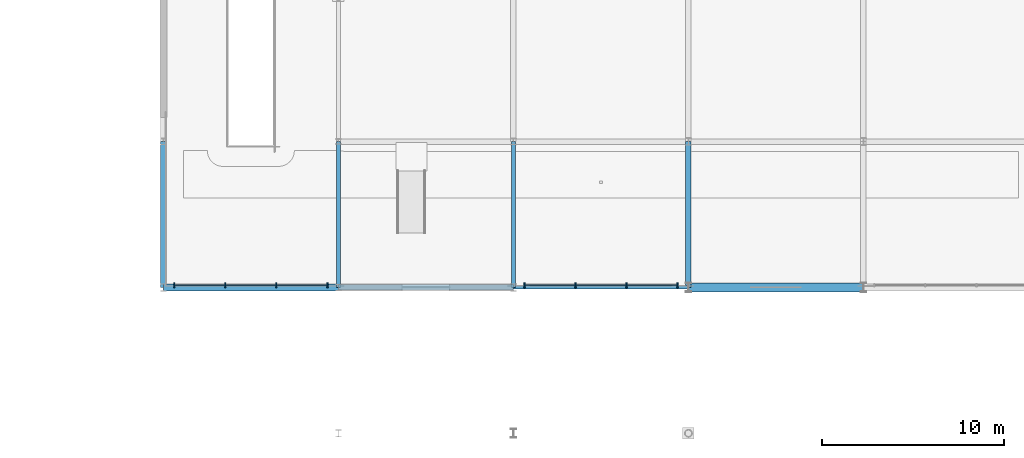
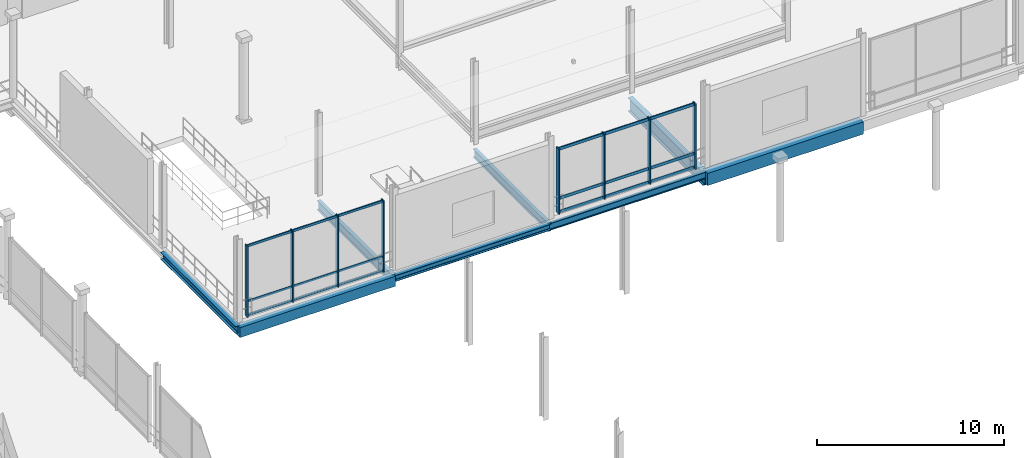
# One storey, part 58 of 129: 14 members, 8 beams, 2 elements without a shape of their own.
"""IFC4 building model written with IfcOpenShell, lengths in metres."""

from ifc_helpers import new_model, si_unit, direction, frame, origin, origin_2d, place, context, subcontext, project, spatial, rectangle, i_section, extrude, material, material_profile, profile_set, type_object, element, aggregate, save


model = new_model("IFC4")

# Units and contexts
model_context = context("Model", 3, precision=1e-05, world=origin(), true_north=direction((0.0, 1.0)))
body_context = subcontext(model_context, "Body", "Model", "MODEL_VIEW")
ifc_project = project(units=[si_unit("LENGTHUNIT", "METRE"), si_unit("AREAUNIT", "SQUARE_METRE"), si_unit("VOLUMEUNIT", "CUBIC_METRE"), si_unit("PLANEANGLEUNIT", "RADIAN"), si_unit("MASSUNIT", "GRAM", prefix="KILO")], contexts=[model_context])

# Site, building, storey
site_placement = place(None, origin())
site = spatial("IfcSite", under=ifc_project, at=site_placement, CompositionType="ELEMENT")
building_placement = place(site_placement, origin())
building = spatial("IfcBuilding", under=site, at=building_placement, Name="Danafjord Basin Convention Centre", CompositionType="ELEMENT")
storey_placement = place(building_placement, frame((0.0, 0.0, 6.0)))
storey = spatial("IfcBuildingStorey", under=building, at=storey_placement, Name="L01", CompositionType="ELEMENT", Elevation=6.0)

# Beams
ifc_material_1 = material(Name="Steel S355", Category="steel")
ifc_material_profile_1 = material_profile(ifc_material_1, i_section(OverallWidth=0.300048828125, OverallDepth=0.89990234375, WebThickness=0.0185546875, FlangeThickness=0.034912109375, FilletRadius=0.030029296875, at=origin_2d()), Name="HEB 900")
ifc_profile_set_1 = profile_set([ifc_material_profile_1], Name="Steel S355")
beam_type_1 = type_object("IfcBeamType", Name="BEAM-BM-HEB900", PredefinedType="BEAM", material=ifc_profile_set_1)
beam_1_placement = place(storey_placement, frame((163.199951171875, 88.0, -0.81005859375), z_axis=(0.0, 1.0, 0.0), x_axis=(-1.0, 0.0, 0.0)))
element("IfcBeam", 1, at=beam_1_placement, inside=storey, type_object=beam_type_1, Name="L01 transverse girder BM-HEB900", PredefinedType="BEAM", context=body_context, shape_type="SweptSolid", body=[
    extrude(i_section(OverallWidth=0.300048828125, OverallDepth=0.89990234375, WebThickness=0.0185546875, FlangeThickness=0.034912109375, FilletRadius=0.030029296875, at=origin_2d()), origin(), (0.0, 0.0, 1.0), 8.0),
])
ifc_material_profile_2 = material_profile(ifc_material_1, i_section(OverallWidth=0.2099609375, OverallDepth=0.550048828125, WebThickness=0.010986328125, FlangeThickness=0.01708984375, FilletRadius=0.02392578125, at=origin_2d()), Name="IPE 550")
ifc_profile_set_2 = profile_set([ifc_material_profile_2], Name="Steel S355")
beam_type_2 = type_object("IfcBeamType", Name="BEAM-BM-IPE550", PredefinedType="BEAM", material=ifc_profile_set_2)
beam_2_placement = place(storey_placement, frame((153.60009765625, 88.0, -0.635009765625), z_axis=(0.0, 1.0, 0.0), x_axis=(-1.0, 0.0, 0.0)))
element("IfcBeam", 2, at=beam_2_placement, inside=storey, type_object=beam_type_2, Name="L01 transverse girder BM-IPE550", PredefinedType="BEAM", context=body_context, shape_type="SweptSolid", body=[
    extrude(i_section(OverallWidth=0.2099609375, OverallDepth=0.550048828125, WebThickness=0.010986328125, FlangeThickness=0.01708984375, FilletRadius=0.02392578125, at=origin_2d()), origin(), (0.0, 0.0, 1.0), 8.0),
])
ifc_material_profile_3 = material_profile(ifc_material_1, i_section(OverallWidth=0.219970703125, OverallDepth=0.60009765625, WebThickness=0.011962890625, FlangeThickness=0.01904296875, FilletRadius=0.02392578125, at=origin_2d()), Name="IPE 600")
ifc_profile_set_3 = profile_set([ifc_material_profile_3], Name="Steel S355")
beam_type_3 = type_object("IfcBeamType", Name="BEAM-BM-IPE600", PredefinedType="BEAM", material=ifc_profile_set_3)
beam_3_placement = place(storey_placement, frame((144.0, 88.0, -0.659912109375), z_axis=(0.0, 1.0, 0.0), x_axis=(-1.0, 0.0, 0.0)))
element("IfcBeam", 3, at=beam_3_placement, inside=storey, type_object=beam_type_3, Name="L01 transverse girder BM-IPE600", PredefinedType="BEAM", context=body_context, shape_type="SweptSolid", body=[
    extrude(i_section(OverallWidth=0.219970703125, OverallDepth=0.60009765625, WebThickness=0.011962890625, FlangeThickness=0.01904296875, FilletRadius=0.02392578125, at=origin_2d()), origin(), (0.0, 0.0, 1.0), 8.0),
])
ifc_material_profile_4 = material_profile(ifc_material_1, i_section(OverallWidth=0.300048828125, OverallDepth=0.39990234375, WebThickness=0.013427734375, FlangeThickness=0.02392578125, FilletRadius=0.027099609375, at=origin_2d()), Name="HEB 400")
ifc_profile_set_4 = profile_set([ifc_material_profile_4], Name="Steel S355")
beam_type_4 = type_object("IfcBeamType", Name="BEAM-SP-HEB400", PredefinedType="SPANDREL", material=ifc_profile_set_4)
beam_4_placement = place(storey_placement, frame((144.0, 88.0, -0.56005859375), z_axis=(1.0, 0.0, 0.0), x_axis=(0.0, 1.0, 0.0)))
element("IfcBeam", 4, at=beam_4_placement, inside=storey, type_object=beam_type_4, Name="L01 girder SP-HEB400", PredefinedType="SPANDREL", context=body_context, shape_type="SweptSolid", body=[
    extrude(i_section(OverallWidth=0.300048828125, OverallDepth=0.39990234375, WebThickness=0.013427734375, FlangeThickness=0.02392578125, FilletRadius=0.027099609375, at=origin_2d()), origin(), (0.0, 0.0, 1.0), 9.60009765625),
])
ifc_material_profile_5 = material_profile(ifc_material_1, i_section(OverallWidth=0.300048828125, OverallDepth=0.449951171875, WebThickness=0.013916015625, FlangeThickness=0.02587890625, FilletRadius=0.027099609375, at=origin_2d()), Name="HEB 450")
ifc_profile_set_5 = profile_set([ifc_material_profile_5], Name="Steel S355")
beam_type_5 = type_object("IfcBeamType", Name="BEAM-SP-HEB450", PredefinedType="SPANDREL", material=ifc_profile_set_5)
beam_5_placement = place(storey_placement, frame((134.39990234375, 88.0, -0.5849609375), z_axis=(0.0, 1.0, 0.0), x_axis=(-1.0, 0.0, 0.0)))
element("IfcBeam", 5, at=beam_5_placement, inside=storey, type_object=beam_type_5, Name="L01 transverse girder SP-HEB450", PredefinedType="SPANDREL", context=body_context, shape_type="SweptSolid", body=[
    extrude(i_section(OverallWidth=0.300048828125, OverallDepth=0.449951171875, WebThickness=0.013916015625, FlangeThickness=0.02587890625, FilletRadius=0.027099609375, at=origin_2d()), origin(), (0.0, 0.0, 1.0), 8.0),
])
ifc_material_profile_6 = material_profile(ifc_material_1, i_section(OverallWidth=0.18994140625, OverallDepth=0.449951171875, WebThickness=0.009521484375, FlangeThickness=0.0146484375, FilletRadius=0.02099609375, at=origin_2d()), Name="IPE 450")
ifc_profile_set_6 = profile_set([ifc_material_profile_6], Name="Steel S355")
beam_type_6 = type_object("IfcBeamType", Name="BEAM-SP-IPE450", PredefinedType="SPANDREL", material=ifc_profile_set_6)
beam_6_placement = place(storey_placement, frame((153.60009765625, 88.0, -0.5849609375), z_axis=(1.0, 0.0, 0.0), x_axis=(0.0, 1.0, 0.0)))
element("IfcBeam", 6, at=beam_6_placement, inside=storey, type_object=beam_type_6, Name="L01 girder SP-IPE450", PredefinedType="SPANDREL", context=body_context, shape_type="SweptSolid", body=[
    extrude(i_section(OverallWidth=0.18994140625, OverallDepth=0.449951171875, WebThickness=0.009521484375, FlangeThickness=0.0146484375, FilletRadius=0.02099609375, at=origin_2d()), origin(), (0.0, 0.0, 1.0), 9.599853515625),
])
ifc_material_2 = material(Name="Precast concrete C45/55", Category="concrete")
ifc_material_profile_7 = material_profile(ifc_material_2, rectangle(XDim=0.39990234375, YDim=0.64990234375, at=origin_2d()), Name="PCB 400x650")
ifc_profile_set_7 = profile_set([ifc_material_profile_7], Name="Precast concrete C45/55")
beam_type_7 = type_object("IfcBeamType", Name="BEAM-SP-PCB650", PredefinedType="SPANDREL", material=ifc_profile_set_7)
beam_7_placement = place(storey_placement, frame((134.39990234375, 88.0, -0.68505859375), z_axis=(1.0, 0.0, 0.0), x_axis=(0.0, 1.0, 0.0)))
element("IfcBeam", 7, at=beam_7_placement, inside=storey, type_object=beam_type_7, Name="L01 girder SP-PCB650", PredefinedType="SPANDREL", context=body_context, shape_type="SweptSolid", body=[
    extrude(rectangle(XDim=0.39990234375, YDim=0.64990234375, at=origin_2d()), origin(), (0.0, 0.0, 1.0), 9.60009765625),
])
ifc_material_profile_8 = material_profile(ifc_material_2, rectangle(XDim=0.5, YDim=0.800048828125, at=origin_2d()), Name="PCB 500x800")
ifc_profile_set_8 = profile_set([ifc_material_profile_8], Name="Precast concrete C45/55")
beam_type_8 = type_object("IfcBeamType", Name="BEAM-SP-PCB800", PredefinedType="SPANDREL", material=ifc_profile_set_8)
beam_8_placement = place(storey_placement, frame((163.199951171875, 88.0, -0.760009765625), z_axis=(1.0, 0.0, 0.0), x_axis=(0.0, 1.0, 0.0)))
element("IfcBeam", 8, at=beam_8_placement, inside=storey, type_object=beam_type_8, Name="L01 girder SP-PCB800", PredefinedType="SPANDREL", context=body_context, shape_type="SweptSolid", body=[
    extrude(rectangle(XDim=0.5, YDim=0.800048828125, at=origin_2d()), origin(), (0.0, 0.0, 1.0), 9.60009765625),
])

# Curtain wall, members
ifc_material_3 = material(Name="Anodised aluminium and triple glazing", Category="aluminium")
curtain_wall_type = type_object("IfcCurtainWallType", Name="CW-CW-DRUM", PredefinedType="NOTDEFINED", material=ifc_material_3)
curtain_wall_1_placement = place(storey_placement, origin())
curtain_wall_1 = element("IfcCurtainWall", 9, at=curtain_wall_1_placement, inside=storey, type_object=curtain_wall_type, Name="L01 CW-DRUM unitised curtain wall bay 118", PredefinedType="NOTDEFINED")
ifc_material_4 = material(Name="Anodised aluminium EN AW-6060", Category="aluminium")
ifc_material_profile_9 = material_profile(ifc_material_4, rectangle(XDim=0.070068359375, YDim=0.260009765625, at=origin_2d()), Name="MULL 70x260")
ifc_profile_set_9 = profile_set([ifc_material_profile_9], Name="Anodised aluminium EN AW-6060")
member_type_1 = type_object("IfcMemberType", Name="MEM-ML-260", PredefinedType="MULLION", material=ifc_profile_set_9)
member_1_placement = place(storey_placement, frame((135.0, 88.1201171875, -0.02490234375), z_axis=(0.0, 0.0, 1.0), x_axis=(1.0, 0.0, 0.0)))
member_1 = element("IfcMember", 10, at=member_1_placement, type_object=member_type_1, Name="CW-L01-118 mullion 1", PredefinedType="MULLION", context=body_context, shape_type="SweptSolid", body=[
    extrude(rectangle(XDim=0.070068359375, YDim=0.260009765625, at=origin_2d()), origin(), (0.0, 0.0, 1.0), 4.65478515625),
])
member_2_placement = place(storey_placement, frame((137.800048828125, 88.1201171875, -0.02490234375), z_axis=(0.0, 0.0, 1.0), x_axis=(1.0, 0.0, 0.0)))
member_2 = element("IfcMember", 11, at=member_2_placement, type_object=member_type_1, Name="CW-L01-118 mullion 2", PredefinedType="MULLION", context=body_context, shape_type="SweptSolid", body=[
    extrude(rectangle(XDim=0.070068359375, YDim=0.260009765625, at=origin_2d()), origin(), (0.0, 0.0, 1.0), 4.65478515625),
])
member_3_placement = place(storey_placement, frame((140.60009765625, 88.1201171875, -0.02490234375), z_axis=(0.0, 0.0, 1.0), x_axis=(1.0, 0.0, 0.0)))
member_3 = element("IfcMember", 12, at=member_3_placement, type_object=member_type_1, Name="CW-L01-118 mullion 3", PredefinedType="MULLION", context=body_context, shape_type="SweptSolid", body=[
    extrude(rectangle(XDim=0.070068359375, YDim=0.260009765625, at=origin_2d()), origin(), (0.0, 0.0, 1.0), 4.65478515625),
])
member_4_placement = place(storey_placement, frame((143.39990234375, 88.1201171875, -0.02490234375), z_axis=(0.0, 0.0, 1.0), x_axis=(1.0, 0.0, 0.0)))
member_4 = element("IfcMember", 13, at=member_4_placement, type_object=member_type_1, Name="CW-L01-118 mullion 4", PredefinedType="MULLION", context=body_context, shape_type="SweptSolid", body=[
    extrude(rectangle(XDim=0.070068359375, YDim=0.260009765625, at=origin_2d()), origin(), (0.0, 0.0, 1.0), 4.65478515625),
])

curtain_wall_2_placement = place(storey_placement, origin())
curtain_wall_2 = element("IfcCurtainWall", 14, at=curtain_wall_2_placement, inside=storey, type_object=curtain_wall_type, Name="L01 CW-DRUM unitised curtain wall bay 119", PredefinedType="NOTDEFINED")
ifc_material_profile_10 = material_profile(ifc_material_4, rectangle(XDim=0.080078125, YDim=0.300048828125, at=origin_2d()), Name="MULL 80x300")
ifc_profile_set_10 = profile_set([ifc_material_profile_10], Name="Anodised aluminium EN AW-6060")
member_type_2 = type_object("IfcMemberType", Name="MEM-ML-300", PredefinedType="MULLION", material=ifc_profile_set_10)
member_5_placement = place(storey_placement, frame((154.199951171875, 88.1201171875, -0.02490234375), z_axis=(0.0, 0.0, 1.0), x_axis=(1.0, 0.0, 0.0)))
member_5 = element("IfcMember", 15, at=member_5_placement, type_object=member_type_2, Name="CW-L01-119 mullion 1", PredefinedType="MULLION", context=body_context, shape_type="SweptSolid", body=[
    extrude(rectangle(XDim=0.080078125, YDim=0.300048828125, at=origin_2d()), origin(), (0.0, 0.0, 1.0), 4.2548828125),
])
member_6_placement = place(storey_placement, frame((157.0, 88.1201171875, -0.02490234375), z_axis=(0.0, 0.0, 1.0), x_axis=(1.0, 0.0, 0.0)))
member_6 = element("IfcMember", 16, at=member_6_placement, type_object=member_type_2, Name="CW-L01-119 mullion 2", PredefinedType="MULLION", context=body_context, shape_type="SweptSolid", body=[
    extrude(rectangle(XDim=0.080078125, YDim=0.300048828125, at=origin_2d()), origin(), (0.0, 0.0, 1.0), 4.2548828125),
])
member_7_placement = place(storey_placement, frame((159.800048828125, 88.1201171875, -0.02490234375), z_axis=(0.0, 0.0, 1.0), x_axis=(1.0, 0.0, 0.0)))
member_7 = element("IfcMember", 17, at=member_7_placement, type_object=member_type_2, Name="CW-L01-119 mullion 3", PredefinedType="MULLION", context=body_context, shape_type="SweptSolid", body=[
    extrude(rectangle(XDim=0.080078125, YDim=0.300048828125, at=origin_2d()), origin(), (0.0, 0.0, 1.0), 4.2548828125),
])
member_8_placement = place(storey_placement, frame((162.60009765625, 88.1201171875, -0.02490234375), z_axis=(0.0, 0.0, 1.0), x_axis=(1.0, 0.0, 0.0)))
member_8 = element("IfcMember", 18, at=member_8_placement, type_object=member_type_2, Name="CW-L01-119 mullion 4", PredefinedType="MULLION", context=body_context, shape_type="SweptSolid", body=[
    extrude(rectangle(XDim=0.080078125, YDim=0.300048828125, at=origin_2d()), origin(), (0.0, 0.0, 1.0), 4.2548828125),
])

# Member
ifc_material_profile_11 = material_profile(ifc_material_4, rectangle(XDim=0.06005859375, YDim=0.14990234375, at=origin_2d()), Name="TRAN 60x150")
ifc_profile_set_11 = profile_set([ifc_material_profile_11], Name="Anodised aluminium EN AW-6060")
member_type_3 = type_object("IfcMemberType", Name="MEM-TR-150", PredefinedType="USERDEFINED", material=ifc_profile_set_11)
member_9_placement = place(storey_placement, frame((135.0, 88.1201171875, 0.06005859375), z_axis=(1.0, 0.0, 0.0), x_axis=(0.0, 1.0, 0.0)))
member_9 = element("IfcMember", 19, at=member_9_placement, type_object=member_type_3, Name="CW-L01-118 transom 1", ObjectType="TRANSOM", PredefinedType="USERDEFINED", context=body_context, shape_type="SweptSolid", body=[
    extrude(rectangle(XDim=0.06005859375, YDim=0.14990234375, at=origin_2d()), origin(), (0.0, 0.0, 1.0), 8.39990234375),
])

member_10_placement = place(storey_placement, frame((135.0, 88.1201171875, 0.949951171875), z_axis=(1.0, 0.0, 0.0), x_axis=(0.0, 1.0, 0.0)))
member_10 = element("IfcMember", 20, at=member_10_placement, type_object=member_type_3, Name="CW-L01-118 transom 2", ObjectType="TRANSOM", PredefinedType="USERDEFINED", context=body_context, shape_type="SweptSolid", body=[
    extrude(rectangle(XDim=0.06005859375, YDim=0.14990234375, at=origin_2d()), origin(), (0.0, 0.0, 1.0), 8.39990234375),
])

member_11_placement = place(storey_placement, frame((135.0, 88.1201171875, 4.56005859375), z_axis=(1.0, 0.0, 0.0), x_axis=(0.0, 1.0, 0.0)))
member_11 = element("IfcMember", 21, at=member_11_placement, type_object=member_type_3, Name="CW-L01-118 transom 3", ObjectType="TRANSOM", PredefinedType="USERDEFINED", context=body_context, shape_type="SweptSolid", body=[
    extrude(rectangle(XDim=0.06005859375, YDim=0.14990234375, at=origin_2d()), origin(), (0.0, 0.0, 1.0), 8.39990234375),
])

aggregate(curtain_wall_1, [member_1, member_2, member_3, member_4, member_9, member_10, member_11])

ifc_material_profile_12 = material_profile(ifc_material_4, rectangle(XDim=0.06494140625, YDim=0.18994140625, at=origin_2d()), Name="TRAN 65x190")
ifc_profile_set_12 = profile_set([ifc_material_profile_12], Name="Anodised aluminium EN AW-6060")
member_type_4 = type_object("IfcMemberType", Name="MEM-TR-190", PredefinedType="USERDEFINED", material=ifc_profile_set_12)
member_12_placement = place(storey_placement, frame((154.199951171875, 88.1201171875, 0.06005859375), z_axis=(1.0, 0.0, 0.0), x_axis=(0.0, 1.0, 0.0)))
member_12 = element("IfcMember", 22, at=member_12_placement, type_object=member_type_4, Name="CW-L01-119 transom 1", ObjectType="TRANSOM", PredefinedType="USERDEFINED", context=body_context, shape_type="SweptSolid", body=[
    extrude(rectangle(XDim=0.06494140625, YDim=0.18994140625, at=origin_2d()), origin(), (0.0, 0.0, 1.0), 8.400146484375),
])

member_13_placement = place(storey_placement, frame((154.199951171875, 88.1201171875, 0.949951171875), z_axis=(1.0, 0.0, 0.0), x_axis=(0.0, 1.0, 0.0)))
member_13 = element("IfcMember", 23, at=member_13_placement, type_object=member_type_4, Name="CW-L01-119 transom 2", ObjectType="TRANSOM", PredefinedType="USERDEFINED", context=body_context, shape_type="SweptSolid", body=[
    extrude(rectangle(XDim=0.06494140625, YDim=0.18994140625, at=origin_2d()), origin(), (0.0, 0.0, 1.0), 8.400146484375),
])

member_14_placement = place(storey_placement, frame((154.199951171875, 88.1201171875, 4.159912109375), z_axis=(1.0, 0.0, 0.0), x_axis=(0.0, 1.0, 0.0)))
member_14 = element("IfcMember", 24, at=member_14_placement, type_object=member_type_4, Name="CW-L01-119 transom 3", ObjectType="TRANSOM", PredefinedType="USERDEFINED", context=body_context, shape_type="SweptSolid", body=[
    extrude(rectangle(XDim=0.06494140625, YDim=0.18994140625, at=origin_2d()), origin(), (0.0, 0.0, 1.0), 8.400146484375),
])

aggregate(curtain_wall_2, [member_5, member_6, member_7, member_8, member_12, member_13, member_14])

save(model, "model.ifc")
